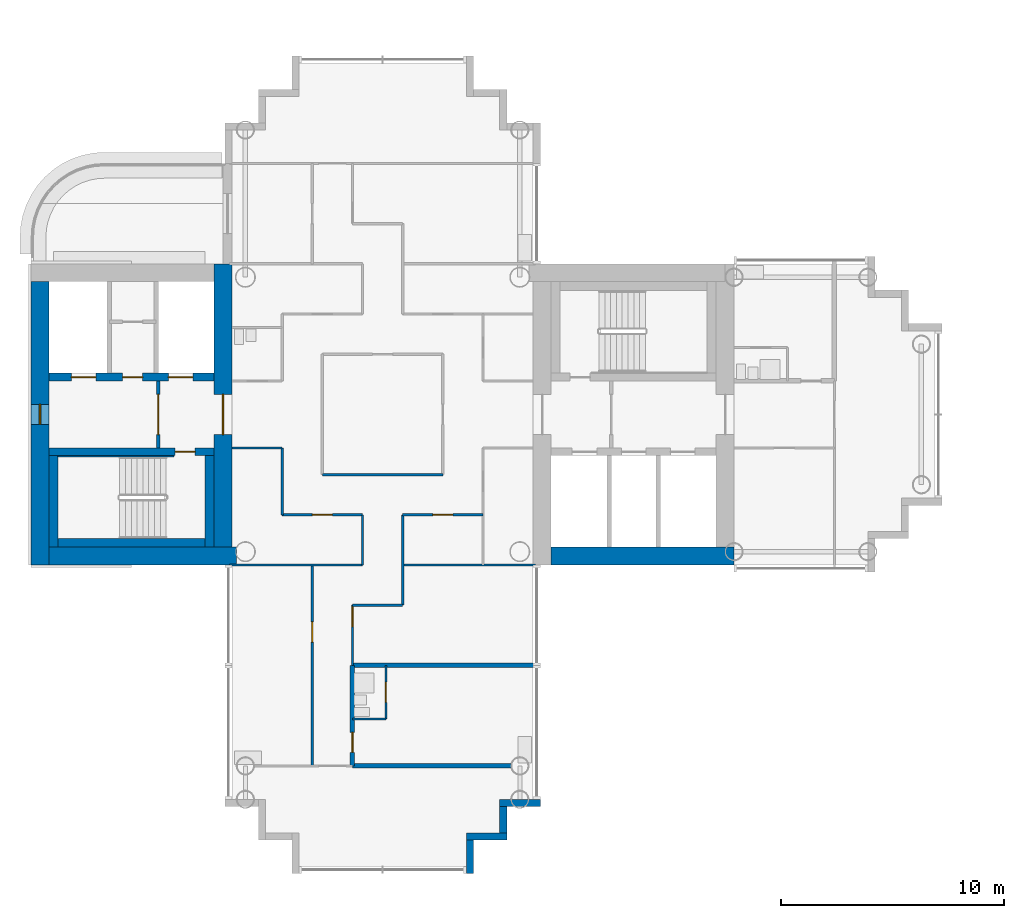
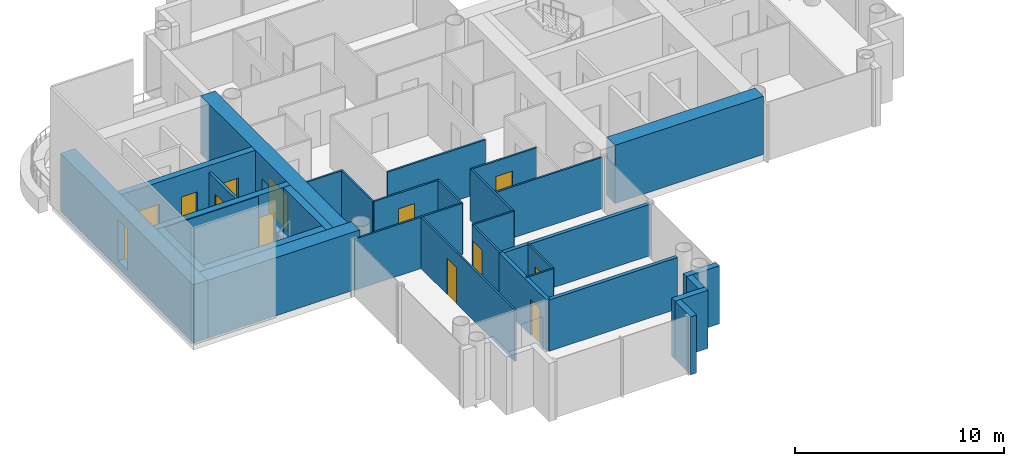
# One storey, part 7 of 20: 32 walls, 12 doors, 1 window, 13 openings.
"""IFC4 building model written with IfcOpenShell, lengths in metres."""

from ifc_helpers import new_model, si_unit, direction, frame, frame_2d, origin, place, context, subcontext, project, spatial, rectangle, extrude, material, layer, layer_set, type_object, element, fill, save


model = new_model("IFC4")

# Units and contexts
model_context = context("Model", 3, precision=1e-05, world=origin(), true_north=direction((0.0, 1.0)))
body_context = subcontext(model_context, "Body", "Model", "MODEL_VIEW")
ifc_project = project(units=[si_unit("LENGTHUNIT", "METRE"), si_unit("AREAUNIT", "SQUARE_METRE"), si_unit("VOLUMEUNIT", "CUBIC_METRE"), si_unit("PLANEANGLEUNIT", "RADIAN"), si_unit("MASSUNIT", "GRAM", prefix="KILO")], contexts=[model_context])

# Site, building, storey
site_placement = place(None, origin())
site = spatial("IfcSite", under=ifc_project, at=site_placement, CompositionType="ELEMENT")
building_placement = place(site_placement, origin())
building = spatial("IfcBuilding", under=site, at=building_placement, Name="Ipe Terrace Towers", CompositionType="ELEMENT")
storey_placement = place(building_placement, frame((0.0, 0.0, 154.10009765625)))
storey = spatial("IfcBuildingStorey", under=building, at=storey_placement, Name="L42", CompositionType="ELEMENT", Elevation=154.10009765625)

# Walls
ifc_material_1 = material(Name="Concrete C40/50 with buff precast cladding", Category="concrete")
ifc_layer_1 = layer(ifc_material_1, 0.320068359375)
ifc_layer_set_1 = layer_set([ifc_layer_1], Name="BUFF CLADDING WALL 320")
wall_type_1 = type_object("IfcWallType", Name="BUFF CLADDING WALL 320", PredefinedType="STANDARD", material=ifc_layer_set_1)
wall_1_placement = place(storey_placement, frame((-32.090087890625, -20.570068359375, -0.300048828125), z_axis=(0.0, 0.0, 1.0), x_axis=(0.0, 1.0, 0.0)))
element("IfcWall", 1, at=wall_1_placement, inside=storey, type_object=wall_type_1, Name="T1-W-L42-09a wall", PredefinedType="STANDARD", context=body_context, shape_type="SweptSolid", body=[
    extrude(rectangle(XDim=1.5, YDim=0.320068359375, at=frame_2d((0.75, 0.0))), origin(), (0.0, 0.0, 1.0), 3.39990234375),
])
wall_2_placement = place(storey_placement, frame((-32.25, -18.909912109375, -0.300048828125), z_axis=(0.0, 0.0, 1.0), x_axis=(1.0, 0.0, 0.0)))
element("IfcWall", 2, at=wall_2_placement, inside=storey, type_object=wall_type_1, Name="T1-W-L42-10a wall", PredefinedType="STANDARD", context=body_context, shape_type="SweptSolid", body=[
    extrude(rectangle(XDim=1.820068359375, YDim=0.320068359375, at=frame_2d((0.91015625, 0.0))), origin(), (0.0, 0.0, 1.0), 3.39990234375),
])
wall_3_placement = place(storey_placement, frame((-30.590087890625, -18.75, -0.300048828125), z_axis=(0.0, 0.0, 1.0), x_axis=(0.0, 1.0, 0.0)))
element("IfcWall", 3, at=wall_3_placement, inside=storey, type_object=wall_type_1, Name="T1-W-L42-11a wall", PredefinedType="STANDARD", context=body_context, shape_type="SweptSolid", body=[
    extrude(rectangle(XDim=1.179931640625, YDim=0.320068359375, at=frame_2d((0.58984375, 0.0))), origin(), (0.0, 0.0, 1.0), 3.39990234375),
])
wall_4_placement = place(storey_placement, frame((-30.75, -17.409912109375, -0.300048828125), z_axis=(0.0, 0.0, 1.0), x_axis=(1.0, 0.0, 0.0)))
element("IfcWall", 4, at=wall_4_placement, inside=storey, type_object=wall_type_1, Name="T1-W-L42-12a wall", PredefinedType="STANDARD", context=body_context, shape_type="SweptSolid", body=[
    extrude(rectangle(XDim=1.820068359375, YDim=0.320068359375, at=frame_2d((0.91015625, 0.0))), origin(), (0.0, 0.0, 1.0), 3.39990234375),
])
ifc_material_2 = material(Name="Gypsum board partition", Category="plasterboard")
ifc_layer_2 = layer(ifc_material_2, 0.10009765625)
ifc_layer_set_2 = layer_set([ifc_layer_2], Name="Gypsum board partition 100 mm")
wall_type_2 = type_object("IfcWallType", Name="Gypsum board partition 100 mm", PredefinedType="PARTITIONING", material=ifc_layer_set_2)
wall_5_placement = place(storey_placement, frame((-40.5, -4.5, 0.0), z_axis=(0.0, 0.0, 1.0), x_axis=(0.0, 1.0, 0.0)))
element("IfcWall", 5, at=wall_5_placement, inside=storey, type_object=wall_type_2, Name="Gypsum board partition T1 L42 W01", PredefinedType="PARTITIONING", context=body_context, shape_type="SweptSolid", body=[
    extrude(rectangle(XDim=3.0, YDim=0.10009765625, at=frame_2d((1.5, 0.0))), origin(), (0.0, 0.0, 1.0), 3.0),
])

# Wall, opening, door
wall_6_placement = place(storey_placement, frame((-39.14990234375, -15.75, 0.0), z_axis=(0.0, 0.0, 1.0), x_axis=(0.0, 1.0, 0.0)))
wall_6 = element("IfcWall", 6, at=wall_6_placement, inside=storey, type_object=wall_type_2, Name="Gypsum board partition T1 L42 W03", PredefinedType="PARTITIONING", context=body_context, shape_type="SweptSolid", body=[
    extrude(rectangle(XDim=9.0, YDim=0.10009765625, at=frame_2d((4.5, 0.0))), origin(), (0.0, 0.0, 1.0), 3.0),
])
opening_1_placement = place(wall_6_placement, frame((5.550048828125, 0.0, 0.0)))
opening_1 = element("IfcOpeningElement", 7, at=opening_1_placement, cuts=wall_6, Name="Opening T1-Z3C-16", PredefinedType="OPENING", context=body_context, shape_type="SweptSolid", body=[
    extrude(rectangle(XDim=0.89990234375, YDim=2.10009765625, at=frame_2d((0.449951171875, 1.050048828125))), frame((0.0, 0.06005859375, 0.0), z_axis=(0.0, -1.0, 0.0), x_axis=(1.0, 0.0, 0.0)), (0.0, 0.0, 1.0), 0.1201171875),
])
ifc_material_3 = material(Name="Timber door leaf", Category="wood")
door_type_1 = type_object("IfcDoorType", Name="Lounge door 900 x 2100", OperationType="NOTDEFINED", PredefinedType="DOOR", material=ifc_material_3)
door_1_placement = place(opening_1_placement, origin())
door_1 = element("IfcDoor", 8, at=door_1_placement, inside=storey, type_object=door_type_1, Name="Lounge door T1-Z3C-16", OperationType="SINGLE_SWING_LEFT", OverallHeight=2.10009765625, OverallWidth=0.89990234375, PredefinedType="DOOR", context=body_context, shape_type="SweptSolid", body=[
    extrude(rectangle(XDim=0.89990234375, YDim=2.10009765625, at=frame_2d((0.449951171875, 1.050048828125))), frame((0.0, 0.02490234375, 0.0), z_axis=(0.0, -1.0, 0.0), x_axis=(1.0, 0.0, 0.0)), (0.0, 0.0, 1.0), 0.050048828125),
])
fill(opening_1, door_1)

wall_7_placement = place(storey_placement, frame((-37.35009765625, -11.25, 0.0), z_axis=(0.0, 0.0, 1.0), x_axis=(0.0, 1.0, 0.0)))
wall_7 = element("IfcWall", 9, at=wall_7_placement, inside=storey, type_object=wall_type_2, Name="Gypsum board partition T1 L42 W06", PredefinedType="PARTITIONING", context=body_context, shape_type="SweptSolid", body=[
    extrude(rectangle(XDim=2.699951171875, YDim=0.10009765625, at=frame_2d((1.35009765625, 0.0))), origin(), (0.0, 0.0, 1.0), 3.0),
])
opening_2_placement = place(wall_7_placement, frame((1.72998046875, 0.0, 0.0)))
opening_2 = element("IfcOpeningElement", 10, at=opening_2_placement, cuts=wall_7, Name="Opening T1-Z3C-13", PredefinedType="OPENING", context=body_context, shape_type="SweptSolid", body=[
    extrude(rectangle(XDim=0.89990234375, YDim=2.10009765625, at=frame_2d((0.449951171875, 1.050048828125))), frame((0.0, 0.06005859375, 0.0), z_axis=(0.0, -1.0, 0.0), x_axis=(1.0, 0.0, 0.0)), (0.0, 0.0, 1.0), 0.1201171875),
])
door_2_placement = place(opening_2_placement, origin())
door_2 = element("IfcDoor", 11, at=door_2_placement, inside=storey, type_object=door_type_1, Name="Lounge door T1-Z3C-13", OperationType="SINGLE_SWING_RIGHT", OverallHeight=2.10009765625, OverallWidth=0.89990234375, PredefinedType="DOOR", context=body_context, shape_type="SweptSolid", body=[
    extrude(rectangle(XDim=0.89990234375, YDim=2.10009765625, at=frame_2d((0.449951171875, 1.050048828125))), frame((0.0, 0.02490234375, 0.0), z_axis=(0.0, -1.0, 0.0), x_axis=(1.0, 0.0, 0.0)), (0.0, 0.0, 1.0), 0.050048828125),
])
fill(opening_2, door_2)

# Wall
wall_8_placement = place(storey_placement, frame((-36.89990234375, -6.75, 0.0), z_axis=(0.0, 0.0, 1.0), x_axis=(0.0, 1.0, 0.0)))
element("IfcWall", 12, at=wall_8_placement, inside=storey, type_object=wall_type_2, Name="Gypsum board partition T1 L42 W09", PredefinedType="PARTITIONING", context=body_context, shape_type="SweptSolid", body=[
    extrude(rectangle(XDim=2.25, YDim=0.10009765625, at=frame_2d((1.125, 0.0))), origin(), (0.0, 0.0, 1.0), 3.0),
])

# Wall, opening, door
wall_9_placement = place(storey_placement, frame((-35.85009765625, -13.64990234375, 0.0), z_axis=(0.0, 0.0, 1.0), x_axis=(0.0, 1.0, 0.0)))
wall_9 = element("IfcWall", 13, at=wall_9_placement, inside=storey, type_object=wall_type_2, Name="Gypsum board partition T1 L42 W11", PredefinedType="PARTITIONING", context=body_context, shape_type="SweptSolid", body=[
    extrude(rectangle(XDim=2.39990234375, YDim=0.10009765625, at=frame_2d((1.199951171875, 0.0))), origin(), (0.0, 0.0, 1.0), 3.0),
])
opening_3_placement = place(wall_9_placement, frame((0.75, 0.0, 0.0)))
opening_3 = element("IfcOpeningElement", 14, at=opening_3_placement, cuts=wall_9, Name="Opening T1-Z3C-15", PredefinedType="OPENING", context=body_context, shape_type="SweptSolid", body=[
    extrude(rectangle(XDim=0.89990234375, YDim=2.10009765625, at=frame_2d((0.449951171875, 1.050048828125))), frame((0.0, 0.06005859375, 0.0), z_axis=(0.0, -1.0, 0.0), x_axis=(1.0, 0.0, 0.0)), (0.0, 0.0, 1.0), 0.1201171875),
])
ifc_material_4 = material(Name="Timber door leaf", Category="wood")
door_type_2 = type_object("IfcDoorType", Name="Bathroom door 900 x 2100", OperationType="NOTDEFINED", PredefinedType="DOOR", material=ifc_material_4)
door_3_placement = place(opening_3_placement, origin())
door_3 = element("IfcDoor", 15, at=door_3_placement, inside=storey, type_object=door_type_2, Name="Bathroom door T1-Z3C-15", OperationType="SINGLE_SWING_LEFT", OverallHeight=2.10009765625, OverallWidth=0.89990234375, PredefinedType="DOOR", context=body_context, shape_type="SweptSolid", body=[
    extrude(rectangle(XDim=0.89990234375, YDim=2.10009765625, at=frame_2d((0.449951171875, 1.050048828125))), frame((0.0, 0.02490234375, 0.0), z_axis=(0.0, -1.0, 0.0), x_axis=(1.0, 0.0, 0.0)), (0.0, 0.0, 1.0), 0.050048828125),
])
fill(opening_3, door_3)

# Walls
wall_10_placement = place(storey_placement, frame((-35.10009765625, -8.550048828125, 0.0), z_axis=(0.0, 0.0, 1.0), x_axis=(0.0, 1.0, 0.0)))
element("IfcWall", 16, at=wall_10_placement, inside=storey, type_object=wall_type_2, Name="Gypsum board partition T1 L42 W12", PredefinedType="PARTITIONING", context=body_context, shape_type="SweptSolid", body=[
    extrude(rectangle(XDim=4.050048828125, YDim=0.10009765625, at=frame_2d((2.02490234375, 0.0))), origin(), (0.0, 0.0, 1.0), 3.0),
])
wall_11_placement = place(storey_placement, frame((-37.35009765625, -13.64990234375, 0.0), z_axis=(0.0, 0.0, 1.0), x_axis=(1.0, 0.0, 0.0)))
element("IfcWall", 17, at=wall_11_placement, inside=storey, type_object=wall_type_2, Name="Gypsum board partition T1 L42 W22", PredefinedType="PARTITIONING", context=body_context, shape_type="SweptSolid", body=[
    extrude(rectangle(XDim=1.5, YDim=0.10009765625, at=frame_2d((0.75, 0.0))), origin(), (0.0, 0.0, 1.0), 3.0),
])
wall_12_placement = place(storey_placement, frame((-37.35009765625, -8.550048828125, 0.0), z_axis=(0.0, 0.0, 1.0), x_axis=(1.0, 0.0, 0.0)))
element("IfcWall", 18, at=wall_12_placement, inside=storey, type_object=wall_type_2, Name="Gypsum board partition T1 L42 W24", PredefinedType="PARTITIONING", context=body_context, shape_type="SweptSolid", body=[
    extrude(rectangle(XDim=2.25, YDim=0.10009765625, at=frame_2d((1.125, 0.0))), origin(), (0.0, 0.0, 1.0), 3.0),
])
for number, where, z_axis, x_axis, name in (
    (19, (-42.85009765625, -6.75, 0.0), (0.0, 0.0, 1.0), (1.0, 0.0, 0.0), "Gypsum board partition T1 L42 W25"),
    (20, (-35.10009765625, -6.75, 0.0), (0.0, 0.0, 1.0), (1.0, 0.0, 0.0), "Gypsum board partition T1 L42 W26"),
):
    element("IfcWall", number, at=place(storey_placement, frame(where, z_axis=z_axis, x_axis=x_axis)), inside=storey, type_object=wall_type_2, Name=name, PredefinedType="PARTITIONING", context=body_context, shape_type="SweptSolid", body=[
        extrude(rectangle(XDim=5.9501953125, YDim=0.10009765625, at=frame_2d((2.97509765625, 0.0))), origin(), (0.0, 0.0, 1.0), 3.0),
    ])

# Wall, opening, door
wall_13_placement = place(storey_placement, frame((-40.5, -4.5, 0.0), z_axis=(0.0, 0.0, 1.0), x_axis=(1.0, 0.0, 0.0)))
wall_13 = element("IfcWall", 21, at=wall_13_placement, inside=storey, type_object=wall_type_2, Name="Gypsum board partition T1 L42 W27", PredefinedType="PARTITIONING", context=body_context, shape_type="SweptSolid", body=[
    extrude(rectangle(XDim=3.60009765625, YDim=0.10009765625, at=frame_2d((1.800048828125, 0.0))), origin(), (0.0, 0.0, 1.0), 3.0),
])
opening_4_placement = place(wall_13_placement, frame((1.35009765625, 0.0, 0.0)))
opening_4 = element("IfcOpeningElement", 22, at=opening_4_placement, cuts=wall_13, Name="Opening T1-Z3C-07", PredefinedType="OPENING", context=body_context, shape_type="SweptSolid", body=[
    extrude(rectangle(XDim=0.89990234375, YDim=2.10009765625, at=frame_2d((0.449951171875, 1.050048828125))), frame((0.0, 0.06005859375, 0.0), z_axis=(0.0, -1.0, 0.0), x_axis=(1.0, 0.0, 0.0)), (0.0, 0.0, 1.0), 0.1201171875),
])
door_4_placement = place(opening_4_placement, origin())
door_4 = element("IfcDoor", 23, at=door_4_placement, inside=storey, type_object=door_type_1, Name="Lounge door T1-Z3C-07", OperationType="SINGLE_SWING_RIGHT", OverallHeight=2.10009765625, OverallWidth=0.89990234375, PredefinedType="DOOR", context=body_context, shape_type="SweptSolid", body=[
    extrude(rectangle(XDim=0.89990234375, YDim=2.10009765625, at=frame_2d((0.449951171875, 1.050048828125))), frame((0.0, 0.02490234375, 0.0), z_axis=(0.0, -1.0, 0.0), x_axis=(1.0, 0.0, 0.0)), (0.0, 0.0, 1.0), 0.050048828125),
])
fill(opening_4, door_4)

wall_14_placement = place(storey_placement, frame((-35.10009765625, -4.5, 0.0), z_axis=(0.0, 0.0, 1.0), x_axis=(1.0, 0.0, 0.0)))
wall_14 = element("IfcWall", 24, at=wall_14_placement, inside=storey, type_object=wall_type_2, Name="Gypsum board partition T1 L42 W28", PredefinedType="PARTITIONING", context=body_context, shape_type="SweptSolid", body=[
    extrude(rectangle(XDim=3.60009765625, YDim=0.10009765625, at=frame_2d((1.800048828125, 0.0))), origin(), (0.0, 0.0, 1.0), 3.0),
])
opening_5_placement = place(wall_14_placement, frame((1.35009765625, 0.0, 0.0)))
opening_5 = element("IfcOpeningElement", 25, at=opening_5_placement, cuts=wall_14, Name="Opening T1-Z3C-08", PredefinedType="OPENING", context=body_context, shape_type="SweptSolid", body=[
    extrude(rectangle(XDim=0.89990234375, YDim=2.10009765625, at=frame_2d((0.449951171875, 1.050048828125))), frame((0.0, 0.06005859375, 0.0), z_axis=(0.0, -1.0, 0.0), x_axis=(1.0, 0.0, 0.0)), (0.0, 0.0, 1.0), 0.1201171875),
])
door_5_placement = place(opening_5_placement, origin())
door_5 = element("IfcDoor", 26, at=door_5_placement, inside=storey, type_object=door_type_1, Name="Lounge door T1-Z3C-08", OperationType="SINGLE_SWING_RIGHT", OverallHeight=2.10009765625, OverallWidth=0.89990234375, PredefinedType="DOOR", context=body_context, shape_type="SweptSolid", body=[
    extrude(rectangle(XDim=0.89990234375, YDim=2.10009765625, at=frame_2d((0.449951171875, 1.050048828125))), frame((0.0, 0.02490234375, 0.0), z_axis=(0.0, -1.0, 0.0), x_axis=(1.0, 0.0, 0.0)), (0.0, 0.0, 1.0), 0.050048828125),
])
fill(opening_5, door_5)

# Walls
wall_15_placement = place(storey_placement, frame((-38.699951171875, -2.699951171875, 0.0), z_axis=(0.0, 0.0, 1.0), x_axis=(1.0, 0.0, 0.0)))
element("IfcWall", 27, at=wall_15_placement, inside=storey, type_object=wall_type_2, Name="Gypsum board partition T1 L42 W29", PredefinedType="PARTITIONING", context=body_context, shape_type="SweptSolid", body=[
    extrude(rectangle(XDim=5.39990234375, YDim=0.10009765625, at=frame_2d((2.699951171875, 0.0))), origin(), (0.0, 0.0, 1.0), 3.0),
])
wall_16_placement = place(storey_placement, frame((-42.75, -1.5, 0.0), z_axis=(0.0, 0.0, 1.0), x_axis=(1.0, 0.0, 0.0)))
element("IfcWall", 28, at=wall_16_placement, inside=storey, type_object=wall_type_2, Name="Gypsum board partition T1 L42 W30", PredefinedType="PARTITIONING", context=body_context, shape_type="SweptSolid", body=[
    extrude(rectangle(XDim=2.25, YDim=0.10009765625, at=frame_2d((1.125, 0.0))), origin(), (0.0, 0.0, 1.0), 3.0),
])

# Wall, opening, door
ifc_material_5 = material(Name="Gypsum board partition", Category="plasterboard")
ifc_layer_3 = layer(ifc_material_5, 0.14990234375)
ifc_layer_set_3 = layer_set([ifc_layer_3], Name="Gypsum board partition 150 mm")
wall_type_3 = type_object("IfcWallType", Name="Gypsum board partition 150 mm", PredefinedType="PARTITIONING", material=ifc_layer_set_3)
wall_17_placement = place(storey_placement, frame((-46.050048828125, 1.5, 0.0), z_axis=(0.0, 0.0, 1.0), x_axis=(0.0, -1.0, 0.0)))
wall_17 = element("IfcWall", 29, at=wall_17_placement, inside=storey, type_object=wall_type_3, Name="Gypsum board partition T1 L42 t1c2-lobby-wall", PredefinedType="PARTITIONING", context=body_context, shape_type="SweptSolid", body=[
    extrude(rectangle(XDim=3.0, YDim=0.14990234375, at=frame_2d((1.5, 0.0))), origin(), (0.0, 0.0, 1.0), 3.0),
])
opening_6_placement = place(wall_17_placement, frame((0.60009765625, 0.0, 0.0)))
opening_6 = element("IfcOpeningElement", 30, at=opening_6_placement, cuts=wall_17, Name="Opening T1C2-VD", PredefinedType="OPENING", context=body_context, shape_type="SweptSolid", body=[
    extrude(rectangle(XDim=1.800048828125, YDim=2.10009765625, at=frame_2d((0.89990234375, 1.050048828125))), frame((0.0, 0.0849609375, 0.0), z_axis=(0.0, -1.0, 0.0), x_axis=(1.0, 0.0, 0.0)), (0.0, 0.0, 1.0), 0.169921875),
])
ifc_material_6 = material(Name="Fire-rated timber door leaf", Category="wood")
door_type_3 = type_object("IfcDoorType", Name="Lobby door 1800 x 2100 FD60", OperationType="NOTDEFINED", PredefinedType="DOOR", material=ifc_material_6)
door_6_placement = place(opening_6_placement, origin())
door_6 = element("IfcDoor", 31, at=door_6_placement, inside=storey, type_object=door_type_3, Name="Lobby door T1C2-VD", OperationType="SINGLE_SWING_LEFT", OverallHeight=2.10009765625, OverallWidth=1.800048828125, PredefinedType="DOOR", context=body_context, shape_type="SweptSolid", body=[
    extrude(rectangle(XDim=1.800048828125, YDim=2.10009765625, at=frame_2d((0.89990234375, 1.050048828125))), frame((0.0, 0.02490234375, 0.0), z_axis=(0.0, -1.0, 0.0), x_axis=(1.0, 0.0, 0.0)), (0.0, 0.0, 1.0), 0.050048828125),
])
fill(opening_6, door_6)

ifc_material_7 = material(Name="Gypsum board party wall", Category="plasterboard")
ifc_layer_4 = layer(ifc_material_7, 0.199951171875)
ifc_layer_set_4 = layer_set([ifc_layer_4], Name="Gypsum board party wall 200 mm")
wall_type_4 = type_object("IfcWallType", Name="Gypsum board party wall 200 mm", PredefinedType="SOLIDWALL", material=ifc_layer_set_4)
wall_18_placement = place(storey_placement, frame((-37.35009765625, -15.75, 0.0), z_axis=(0.0, 0.0, 1.0), x_axis=(0.0, 1.0, 0.0)))
wall_18 = element("IfcWall", 32, at=wall_18_placement, inside=storey, type_object=wall_type_4, Name="Gypsum board party wall T1 L42 W08", PredefinedType="SOLIDWALL", context=body_context, shape_type="SweptSolid", body=[
    extrude(rectangle(XDim=4.5, YDim=0.199951171875, at=frame_2d((2.25, 0.0))), origin(), (0.0, 0.0, 1.0), 3.0),
])
opening_7_placement = place(wall_18_placement, frame((0.60009765625, 0.0, 0.0)))
opening_7 = element("IfcOpeningElement", 33, at=opening_7_placement, cuts=wall_18, Name="Opening T1-Z3C-14", PredefinedType="OPENING", context=body_context, shape_type="SweptSolid", body=[
    extrude(rectangle(XDim=0.89990234375, YDim=2.10009765625, at=frame_2d((0.449951171875, 1.050048828125))), frame((0.0, 0.10986328125, 0.0), z_axis=(0.0, -1.0, 0.0), x_axis=(1.0, 0.0, 0.0)), (0.0, 0.0, 1.0), 0.219970703125),
])
ifc_material_8 = material(Name="Fire-rated timber door leaf", Category="wood")
door_type_4 = type_object("IfcDoorType", Name="Flat entrance door 900 x 2100 FD30S", OperationType="NOTDEFINED", PredefinedType="DOOR", material=ifc_material_8)
door_7_placement = place(opening_7_placement, origin())
door_7 = element("IfcDoor", 34, at=door_7_placement, inside=storey, type_object=door_type_4, Name="Flat entrance door T1-Z3C-14", OperationType="SINGLE_SWING_LEFT", OverallHeight=2.10009765625, OverallWidth=0.89990234375, PredefinedType="DOOR", context=body_context, shape_type="SweptSolid", body=[
    extrude(rectangle(XDim=0.89990234375, YDim=2.10009765625, at=frame_2d((0.449951171875, 1.050048828125))), frame((0.0, 0.02490234375, 0.0), z_axis=(0.0, -1.0, 0.0), x_axis=(1.0, 0.0, 0.0)), (0.0, 0.0, 1.0), 0.050048828125),
])
fill(opening_7, door_7)

# Walls
wall_19_placement = place(storey_placement, frame((-37.35009765625, -15.75, 0.0), z_axis=(0.0, 0.0, 1.0), x_axis=(1.0, 0.0, 0.0)))
element("IfcWall", 35, at=wall_19_placement, inside=storey, type_object=wall_type_4, Name="Gypsum board party wall T1 L42 W21", PredefinedType="SOLIDWALL", context=body_context, shape_type="SweptSolid", body=[
    extrude(rectangle(XDim=7.10009765625, YDim=0.199951171875, at=frame_2d((3.550048828125, 0.0))), origin(), (0.0, 0.0, 1.0), 3.0),
])
wall_20_placement = place(storey_placement, frame((-37.35009765625, -11.25, 0.0), z_axis=(0.0, 0.0, 1.0), x_axis=(1.0, 0.0, 0.0)))
element("IfcWall", 36, at=wall_20_placement, inside=storey, type_object=wall_type_4, Name="Gypsum board party wall T1 L42 W23", PredefinedType="SOLIDWALL", context=body_context, shape_type="SweptSolid", body=[
    extrude(rectangle(XDim=8.2001953125, YDim=0.199951171875, at=frame_2d((4.10009765625, 0.0))), origin(), (0.0, 0.0, 1.0), 3.0),
])

# Wall, opening, door
ifc_material_9 = material(Name="Concrete C50/60", Category="concrete")
ifc_layer_5 = layer(ifc_material_9, 0.35009765625)
ifc_layer_set_5 = layer_set([ifc_layer_5], Name="RW350 CORE SPINE WALL 350 C50-60")
wall_type_5 = type_object("IfcWallType", Name="RW350 CORE SPINE WALL 350 C50-60", PredefinedType="SHEAR", material=ifc_layer_set_5)
wall_21_placement = place(storey_placement, frame((-50.949951171875, -1.675048828125, 0.0), z_axis=(0.0, 0.0, 1.0), x_axis=(1.0, 0.0, 0.0)))
wall_21 = element("IfcWall", 37, at=wall_21_placement, inside=storey, type_object=wall_type_5, Name="Core spine wall T1-C2-Z3-SW1", PredefinedType="SHEAR", context=body_context, shape_type="SweptSolid", body=[
    extrude(rectangle(XDim=7.39990234375, YDim=0.35009765625, at=frame_2d((3.699951171875, 0.0))), origin(), (0.0, 0.0, 1.0), 3.39990234375),
])
opening_8_placement = place(wall_21_placement, frame((5.64990234375, 0.0, 0.0)))
opening_8 = element("IfcOpeningElement", 38, at=opening_8_placement, cuts=wall_21, Name="Opening T1C2-SD", PredefinedType="OPENING", context=body_context, shape_type="SweptSolid", body=[
    extrude(rectangle(XDim=0.89990234375, YDim=2.10009765625, at=frame_2d((0.449951171875, 1.050048828125))), frame((0.0, 0.18505859375, 0.0), z_axis=(0.0, -1.0, 0.0), x_axis=(1.0, 0.0, 0.0)), (0.0, 0.0, 1.0), 0.3701171875),
])
ifc_material_10 = material(Name="Fire-rated timber door leaf", Category="wood")
door_type_5 = type_object("IfcDoorType", Name="Stair door 900 x 2100 FD60", OperationType="NOTDEFINED", PredefinedType="DOOR", material=ifc_material_10)
door_8_placement = place(opening_8_placement, origin())
door_8 = element("IfcDoor", 39, at=door_8_placement, inside=storey, type_object=door_type_5, Name="Stair door T1C2-SD", OperationType="SINGLE_SWING_RIGHT", OverallHeight=2.10009765625, OverallWidth=0.89990234375, PredefinedType="DOOR", context=body_context, shape_type="SweptSolid", body=[
    extrude(rectangle(XDim=0.89990234375, YDim=2.10009765625, at=frame_2d((0.449951171875, 1.050048828125))), frame((0.0, 0.02490234375, 0.0), z_axis=(0.0, -1.0, 0.0), x_axis=(1.0, 0.0, 0.0)), (0.0, 0.0, 1.0), 0.050048828125),
])
fill(opening_8, door_8)

# Wall, openings, doors
wall_22_placement = place(storey_placement, frame((-50.949951171875, 1.675048828125, 0.0), z_axis=(0.0, 0.0, 1.0), x_axis=(1.0, 0.0, 0.0)))
wall_22 = element("IfcWall", 40, at=wall_22_placement, inside=storey, type_object=wall_type_5, Name="Core spine wall T1-C2-Z3-SW2", PredefinedType="SHEAR", context=body_context, shape_type="SweptSolid", body=[
    extrude(rectangle(XDim=7.39990234375, YDim=0.35009765625, at=frame_2d((3.699951171875, 0.0))), origin(), (0.0, 0.0, 1.0), 3.39990234375),
])
opening_9_placement = place(wall_22_placement, frame((5.35009765625, 0.0, 0.0)))
opening_9 = element("IfcOpeningElement", 41, at=opening_9_placement, cuts=wall_22, Name="Opening T1C2-LD1", PredefinedType="OPENING", context=body_context, shape_type="SweptSolid", body=[
    extrude(rectangle(XDim=1.10009765625, YDim=2.10009765625, at=frame_2d((0.550048828125, 1.050048828125))), frame((0.0, 0.18505859375, 0.0), z_axis=(0.0, -1.0, 0.0), x_axis=(1.0, 0.0, 0.0)), (0.0, 0.0, 1.0), 0.3701171875),
])
opening_10_placement = place(wall_22_placement, frame((1.0, 0.0, 0.0)))
opening_10 = element("IfcOpeningElement", 42, at=opening_10_placement, cuts=wall_22, Name="Opening T1C2-LD3", PredefinedType="OPENING", context=body_context, shape_type="SweptSolid", body=[
    extrude(rectangle(XDim=1.10009765625, YDim=2.10009765625, at=frame_2d((0.550048828125, 1.050048828125))), frame((0.0, 0.18505859375, 0.0), z_axis=(0.0, -1.0, 0.0), x_axis=(1.0, 0.0, 0.0)), (0.0, 0.0, 1.0), 0.3701171875),
])
opening_11_placement = place(wall_22_placement, frame((3.300048828125, 0.0, 0.0)))
opening_11 = element("IfcOpeningElement", 43, at=opening_11_placement, cuts=wall_22, Name="Opening T1C2-R1-NR", PredefinedType="OPENING", context=body_context, shape_type="SweptSolid", body=[
    extrude(rectangle(XDim=0.89990234375, YDim=2.10009765625, at=frame_2d((0.449951171875, 1.050048828125))), frame((0.0, 0.18505859375, 0.0), z_axis=(0.0, -1.0, 0.0), x_axis=(1.0, 0.0, 0.0)), (0.0, 0.0, 1.0), 0.3701171875),
])
ifc_material_11 = material(Name="Fire-rated timber door leaf", Category="wood")
door_type_6 = type_object("IfcDoorType", Name="Sliding door 1100 x 2100 FD60", OperationType="SLIDING_TO_LEFT", PredefinedType="DOOR", material=ifc_material_11)
door_9_placement = place(opening_9_placement, origin())
door_9 = element("IfcDoor", 44, at=door_9_placement, inside=storey, type_object=door_type_6, Name="Sliding door T1C2-LD1", OperationType="SLIDING_TO_LEFT", OverallHeight=2.10009765625, OverallWidth=1.10009765625, PredefinedType="DOOR", context=body_context, shape_type="SweptSolid", body=[
    extrude(rectangle(XDim=1.10009765625, YDim=2.10009765625, at=frame_2d((0.550048828125, 1.050048828125))), frame((0.0, 0.02490234375, 0.0), z_axis=(0.0, -1.0, 0.0), x_axis=(1.0, 0.0, 0.0)), (0.0, 0.0, 1.0), 0.050048828125),
])
fill(opening_9, door_9)
door_10_placement = place(opening_10_placement, origin())
door_10 = element("IfcDoor", 45, at=door_10_placement, inside=storey, type_object=door_type_6, Name="Sliding door T1C2-LD3", OperationType="SLIDING_TO_LEFT", OverallHeight=2.10009765625, OverallWidth=1.10009765625, PredefinedType="DOOR", context=body_context, shape_type="SweptSolid", body=[
    extrude(rectangle(XDim=1.10009765625, YDim=2.10009765625, at=frame_2d((0.550048828125, 1.050048828125))), frame((0.0, 0.02490234375, 0.0), z_axis=(0.0, -1.0, 0.0), x_axis=(1.0, 0.0, 0.0)), (0.0, 0.0, 1.0), 0.050048828125),
])
fill(opening_10, door_10)
ifc_material_12 = material(Name="Timber door leaf", Category="wood")
door_type_7 = type_object("IfcDoorType", Name="Store door 900 x 2100", OperationType="NOTDEFINED", PredefinedType="DOOR", material=ifc_material_12)
door_11_placement = place(opening_11_placement, origin())
door_11 = element("IfcDoor", 46, at=door_11_placement, inside=storey, type_object=door_type_7, Name="Store door T1C2-R1-NR", OperationType="SINGLE_SWING_LEFT", OverallHeight=2.10009765625, OverallWidth=0.89990234375, PredefinedType="DOOR", context=body_context, shape_type="SweptSolid", body=[
    extrude(rectangle(XDim=0.89990234375, YDim=2.10009765625, at=frame_2d((0.449951171875, 1.050048828125))), frame((0.0, 0.02490234375, 0.0), z_axis=(0.0, -1.0, 0.0), x_axis=(1.0, 0.0, 0.0)), (0.0, 0.0, 1.0), 0.050048828125),
])
fill(opening_11, door_11)

# Walls
ifc_material_13 = material(Name="Concrete C50/60", Category="concrete")
ifc_layer_6 = layer(ifc_material_13, 0.39990234375)
ifc_layer_set_6 = layer_set([ifc_layer_6], Name="RW400 CORE INFILL WALL 400 C50-60")
wall_type_6 = type_object("IfcWallType", Name="RW400 CORE INFILL WALL 400 C50-60", PredefinedType="SHEAR", material=ifc_layer_set_6)
wall_23_placement = place(storey_placement, frame((-50.75, -1.85009765625, 0.0), z_axis=(0.0, 0.0, 1.0), x_axis=(0.0, -1.0, 0.0)))
element("IfcWall", 47, at=wall_23_placement, inside=storey, type_object=wall_type_6, Name="Core infill wall T1-C2-far", PredefinedType="SHEAR", context=body_context, shape_type="SweptSolid", body=[
    extrude(rectangle(XDim=4.099853515625, YDim=0.39990234375, at=frame_2d((2.0498046875, 0.0))), origin(), (0.0, 0.0, 1.0), 3.39990234375),
])
wall_24_placement = place(storey_placement, frame((-43.949951171875, -5.75, 0.0), z_axis=(0.0, 0.0, 1.0), x_axis=(-1.0, 0.0, 0.0)))
element("IfcWall", 48, at=wall_24_placement, inside=storey, type_object=wall_type_6, Name="Core infill wall T1-C2-back", PredefinedType="SHEAR", context=body_context, shape_type="SweptSolid", body=[
    extrude(rectangle(XDim=6.60009765625, YDim=0.39990234375, at=frame_2d((3.300048828125, 0.0))), origin(), (0.0, 0.0, 1.0), 3.39990234375),
])
wall_25_placement = place(storey_placement, frame((-43.75, -1.85009765625, 0.0), z_axis=(0.0, 0.0, 1.0), x_axis=(0.0, -1.0, 0.0)))
element("IfcWall", 49, at=wall_25_placement, inside=storey, type_object=wall_type_6, Name="Core infill wall T1-C2-near", PredefinedType="SHEAR", context=body_context, shape_type="SweptSolid", body=[
    extrude(rectangle(XDim=4.099853515625, YDim=0.39990234375, at=frame_2d((2.0498046875, 0.0))), origin(), (0.0, 0.0, 1.0), 3.39990234375),
])
ifc_material_14 = material(Name="Concrete C50/60", Category="concrete")
ifc_layer_7 = layer(ifc_material_14, 0.050048828125)
ifc_layer_set_7 = layer_set([ifc_layer_7], Name="RW50 CORE INFILL WALL 50 C50-60")
wall_type_7 = type_object("IfcWallType", Name="RW50 CORE INFILL WALL 50 C50-60", PredefinedType="SHEAR", material=ifc_layer_set_7)
wall_26_placement = place(storey_placement, frame((-45.35009765625, -1.875, 0.0), z_axis=(0.0, 0.0, 1.0), x_axis=(-1.0, 0.0, 0.0)))
element("IfcWall", 50, at=wall_26_placement, inside=storey, type_object=wall_type_7, Name="Core infill wall T1-C2-spine-b", PredefinedType="SHEAR", context=body_context, shape_type="SweptSolid", body=[
    extrude(rectangle(XDim=5.199951171875, YDim=0.050048828125, at=frame_2d((2.60009765625, 0.0))), origin(), (0.0, 0.0, 1.0), 3.39990234375),
])
ifc_material_15 = material(Name="Concrete C50/60", Category="concrete")
ifc_layer_8 = layer(ifc_material_15, 0.800048828125)
ifc_layer_set_8 = layer_set([ifc_layer_8], Name="RW800 CORE WALL 800 C50-60")
wall_type_8 = type_object("IfcWallType", Name="RW800 CORE WALL 800 C50-60", PredefinedType="SHEAR", material=ifc_layer_set_8)
wall_27_placement = place(storey_placement, frame((-28.449951171875, -6.35009765625, 0.0), z_axis=(0.0, 0.0, 1.0), x_axis=(1.0, 0.0, 0.0)))
element("IfcWall", 51, at=wall_27_placement, inside=storey, type_object=wall_type_8, Name="Core wall T1-C1-Z3-W01", PredefinedType="SHEAR", context=body_context, shape_type="SweptSolid", body=[
    extrude(rectangle(XDim=8.199951171875, YDim=0.800048828125, at=frame_2d((4.10009765625, 0.0))), origin(), (0.0, 0.0, 1.0), 3.39990234375),
])
wall_28_placement = place(storey_placement, frame((-50.949951171875, -6.35009765625, 0.0), z_axis=(0.0, 0.0, 1.0), x_axis=(1.0, 0.0, 0.0)))
element("IfcWall", 52, at=wall_28_placement, inside=storey, type_object=wall_type_8, Name="Core wall T1-C2-Z3-W01", PredefinedType="SHEAR", context=body_context, shape_type="SweptSolid", body=[
    extrude(rectangle(XDim=8.39794921875, YDim=0.800048828125, at=frame_2d((4.198974609375, 0.0))), origin(), (0.0, 0.0, 1.0), 3.39990234375),
])

# Wall, opening, door
wall_29_placement = place(storey_placement, frame((-43.14990234375, -5.949951171875, 0.0), z_axis=(0.0, 0.0, 1.0), x_axis=(0.0, 1.0, 0.0)))
wall_29 = element("IfcWall", 53, at=wall_29_placement, inside=storey, type_object=wall_type_8, Name="Core wall T1-C2-Z3-W02", PredefinedType="SHEAR", context=body_context, shape_type="SweptSolid", body=[
    extrude(rectangle(XDim=12.699951171875, YDim=0.800048828125, at=frame_2d((6.35009765625, 0.0))), origin(), (0.0, 0.0, 1.0), 3.39990234375),
])
opening_12_placement = place(wall_29_placement, frame((5.050048828125, 0.0, 0.0)))
opening_12 = element("IfcOpeningElement", 54, at=opening_12_placement, cuts=wall_29, Name="Opening T1C2-ND", PredefinedType="OPENING", context=body_context, shape_type="SweptSolid", body=[
    extrude(rectangle(XDim=1.800048828125, YDim=2.10009765625, at=frame_2d((0.89990234375, 1.050048828125))), frame((0.0, 0.41015625, 0.0), z_axis=(0.0, -1.0, 0.0), x_axis=(1.0, 0.0, 0.0)), (0.0, 0.0, 1.0), 0.820068359375),
])
ifc_material_16 = material(Name="Fire-rated timber door leaf", Category="wood")
door_type_8 = type_object("IfcDoorType", Name="Fire door 1800 x 2100 FD30S", OperationType="NOTDEFINED", PredefinedType="DOOR", material=ifc_material_16)
door_12_placement = place(opening_12_placement, origin())
door_12 = element("IfcDoor", 55, at=door_12_placement, inside=storey, type_object=door_type_8, Name="Fire door T1C2-ND", OperationType="SINGLE_SWING_LEFT", OverallHeight=2.10009765625, OverallWidth=1.800048828125, PredefinedType="DOOR", context=body_context, shape_type="SweptSolid", body=[
    extrude(rectangle(XDim=1.800048828125, YDim=2.10009765625, at=frame_2d((0.89990234375, 1.050048828125))), frame((0.0, 0.02490234375, 0.0), z_axis=(0.0, -1.0, 0.0), x_axis=(1.0, 0.0, 0.0)), (0.0, 0.0, 1.0), 0.050048828125),
])
fill(opening_12, door_12)

# Wall, opening, window
wall_30_placement = place(storey_placement, frame((-51.35009765625, 5.949951171875, 0.0), z_axis=(0.0, 0.0, 1.0), x_axis=(0.0, -1.0, 0.0)))
wall_30 = element("IfcWall", 56, at=wall_30_placement, inside=storey, type_object=wall_type_8, Name="Core wall T1-C2-Z3-W04", PredefinedType="SHEAR", context=body_context, shape_type="SweptSolid", body=[
    extrude(rectangle(XDim=12.699951171875, YDim=0.800048828125, at=frame_2d((6.35009765625, 0.0))), origin(), (0.0, 0.0, 1.0), 3.39990234375),
])
opening_13_placement = place(wall_30_placement, frame((5.5, 0.0, 0.449951171875)))
opening_13 = element("IfcOpeningElement", 57, at=opening_13_placement, cuts=wall_30, Name="Opening T1-C2-W-01-L42", PredefinedType="OPENING", context=body_context, shape_type="SweptSolid", body=[
    extrude(rectangle(XDim=0.89990234375, YDim=2.39990234375, at=frame_2d((0.449951171875, 1.199951171875))), frame((0.0, 0.41015625, 0.0), z_axis=(0.0, -1.0, 0.0), x_axis=(1.0, 0.0, 0.0)), (0.0, 0.0, 1.0), 0.820068359375),
])
ifc_material_17 = material(Name="Fire-resistant glazing EI 60", Category="glass")
window_type = type_object("IfcWindowType", Name="CORRIDOR END SLOT WINDOW 900 x 2400 EI 60", PartitioningType="SINGLE_PANEL", PredefinedType="WINDOW", material=ifc_material_17)
window_placement = place(opening_13_placement, origin())
window = element("IfcWindow", 58, at=window_placement, inside=storey, type_object=window_type, Name="W-01 window", OverallHeight=2.39990234375, OverallWidth=0.89990234375, PartitioningType="SINGLE_PANEL", PredefinedType="WINDOW", context=body_context, shape_type="SweptSolid", body=[
    extrude(rectangle(XDim=0.89990234375, YDim=2.39990234375, at=frame_2d((0.449951171875, 1.199951171875))), frame((0.0, 0.030029296875, 0.0), z_axis=(0.0, -1.0, 0.0), x_axis=(1.0, 0.0, 0.0)), (0.0, 0.0, 1.0), 0.06005859375),
])
fill(opening_13, window)

save(model, "model.ifc")
